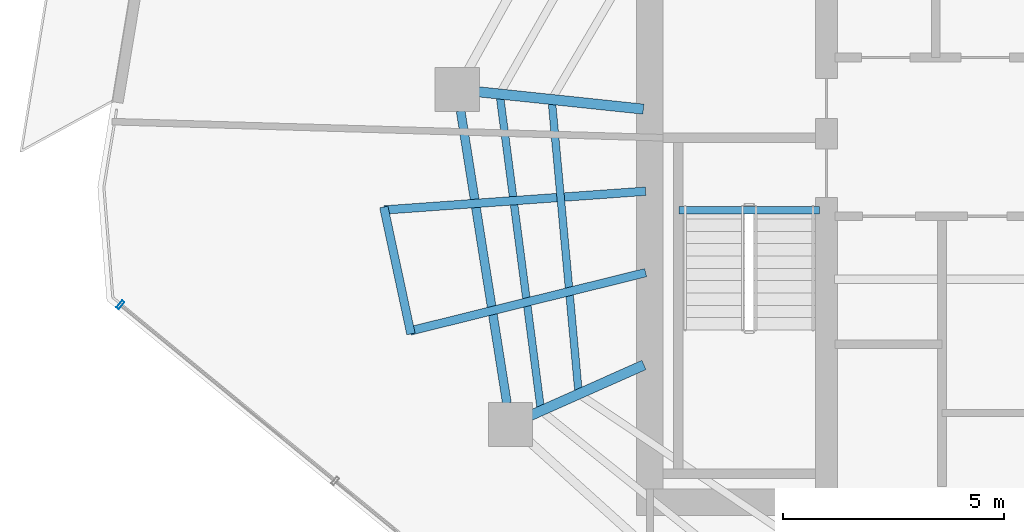
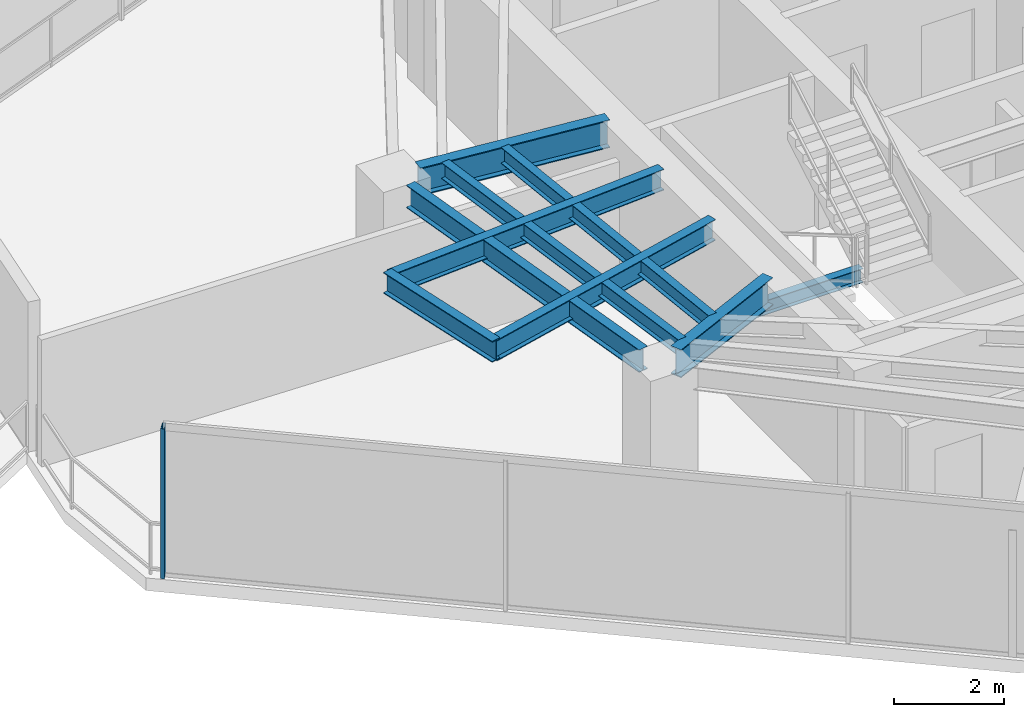
# One storey, part 5 of 19: 9 beams, 1 member, 1 element without a shape of its own.
"""IFC4 building model written with IfcOpenShell, lengths in metres."""

from ifc_helpers import new_model, si_unit, direction, frame, origin, origin_2d, place, context, subcontext, project, spatial, hollow_rectangle, i_section, extrude, material, layer, layer_set, material_profile, profile_set, type_object, element, aggregate, save


model = new_model("IFC4")

# Units and contexts
model_context = context("Model", 3, precision=1e-05, world=origin(), true_north=direction((0.0, 1.0)))
body_context = subcontext(model_context, "Body", "Model", "MODEL_VIEW")
ifc_project = project(units=[si_unit("LENGTHUNIT", "METRE"), si_unit("AREAUNIT", "SQUARE_METRE"), si_unit("VOLUMEUNIT", "CUBIC_METRE"), si_unit("PLANEANGLEUNIT", "RADIAN"), si_unit("MASSUNIT", "GRAM", prefix="KILO")], contexts=[model_context])

# Site, building, storey
site_placement = place(None, origin())
site = spatial("IfcSite", under=ifc_project, at=site_placement, CompositionType="ELEMENT")
building_placement = place(site_placement, origin())
building = spatial("IfcBuilding", under=site, at=building_placement, Name="Qarnah Convention Tower", CompositionType="ELEMENT")
storey_placement = place(building_placement, frame((0.0, 0.0, 143.699951171875)))
storey = spatial("IfcBuildingStorey", under=building, at=storey_placement, Name="L38", CompositionType="ELEMENT", Elevation=143.699951171875)

# Beams
ifc_material_1 = material(Name="Structural steel S355JR", Category="steel")
ifc_material_profile_1 = material_profile(ifc_material_1, i_section(OverallWidth=0.19189453125, OverallDepth=0.464111328125, WebThickness=0.010986328125, FlangeThickness=0.01806640625, at=origin_2d()), Name="W460X89")
ifc_profile_set_1 = profile_set([ifc_material_profile_1], Name="Structural steel S355JR")
beam_type_1 = type_object("IfcBeamType", Name="BM-CANT-W460A", PredefinedType="BEAM", material=ifc_profile_set_1)
beam_1_placement = place(storey_placement, frame((26.699951171875, 25.64794921875, 3.088134765625), z_axis=(-0.997431478283, -0.071627132639, 0.0), x_axis=(0.071627132639, -0.997431478283, 0.0)))
element("IfcBeam", 1, at=beam_1_placement, inside=storey, type_object=beam_type_1, Name="L38 beam BM-L38-CNT-02-1", PredefinedType="BEAM", context=body_context, shape_type="SweptSolid", body=[
    extrude(i_section(OverallWidth=0.19189453125, OverallDepth=0.464111328125, WebThickness=0.010986328125, FlangeThickness=0.01806640625, at=origin_2d()), origin(), (0.0, 0.0, 1.0), 5.93408203125),
])
beam_2_placement = place(storey_placement, frame((26.702880859375, 23.802001953125, 3.088134765625), z_axis=(-0.970704086067, -0.240278124872, 0.0), x_axis=(0.240278124872, -0.970704086067, 0.0)))
element("IfcBeam", 2, at=beam_2_placement, inside=storey, type_object=beam_type_1, Name="L38 beam BM-L38-CNT-02-2", PredefinedType="BEAM", context=body_context, shape_type="SweptSolid", body=[
    extrude(i_section(OverallWidth=0.19189453125, OverallDepth=0.464111328125, WebThickness=0.010986328125, FlangeThickness=0.01806640625, at=origin_2d()), origin(), (0.0, 0.0, 1.0), 5.498046875),
])
beam_3_placement = place(storey_placement, frame((20.76611328125, 25.291015625, 3.088134765625), z_axis=(0.208973836363, -0.977921231857, 0.0), x_axis=(0.977921231857, 0.208973836363, 0.0)))
element("IfcBeam", 3, at=beam_3_placement, inside=storey, type_object=beam_type_1, Name="L38 spandrel BM-L38-CTIE-02", PredefinedType="SPANDREL", context=body_context, shape_type="SweptSolid", body=[
    extrude(i_section(OverallWidth=0.19189453125, OverallDepth=0.464111328125, WebThickness=0.010986328125, FlangeThickness=0.01806640625, at=origin_2d()), origin(), (0.0, 0.0, 1.0), 2.94287109375),
])
ifc_material_profile_2 = material_profile(ifc_material_1, i_section(OverallWidth=0.166015625, OverallDepth=0.31201171875, WebThickness=0.007080078125, FlangeThickness=0.010986328125, at=origin_2d()), Name="W310X45")
ifc_profile_set_2 = profile_set([ifc_material_profile_2], Name="Structural steel S355JR")
beam_type_2 = type_object("IfcBeamType", Name="BM-JST-W310", PredefinedType="JOIST", material=ifc_profile_set_2)
beam_4_placement = place(storey_placement, frame((27.4599609375, 25.217041015625, -0.156005859375), z_axis=(1.0, 0.0, 0.0), x_axis=(0.0, 1.0, 0.0)))
element("IfcBeam", 4, at=beam_4_placement, inside=storey, type_object=beam_type_2, Name="L38 stair landing trimmer beam BM-L38-ST1-TRM", PredefinedType="BEAM", context=body_context, shape_type="SweptSolid", body=[
    extrude(i_section(OverallWidth=0.166015625, OverallDepth=0.31201171875, WebThickness=0.007080078125, FlangeThickness=0.010986328125, at=origin_2d()), origin(), (0.0, 0.0, 1.0), 3.179931640625),
])
ifc_material_profile_3 = material_profile(ifc_material_1, i_section(OverallWidth=0.172119140625, OverallDepth=0.35595703125, WebThickness=0.007080078125, FlangeThickness=0.011962890625, at=origin_2d()), Name="W360X51")
ifc_profile_set_3 = profile_set([ifc_material_profile_3], Name="Structural steel S355JR")
beam_type_3 = type_object("IfcBeamType", Name="BM-JST-W360", PredefinedType="JOIST", material=ifc_profile_set_3)
beam_5_placement = place(storey_placement, frame((23.404052734375, 27.761962890625, 3.14208984375), z_axis=(0.12956381361, -0.991571085804, 0.0), x_axis=(0.991571085804, 0.12956381361, 0.0)))
element("IfcBeam", 5, at=beam_5_placement, inside=storey, type_object=beam_type_3, Name="L38 joist BM-L38-SJST-05", PredefinedType="JOIST", context=body_context, shape_type="SweptSolid", body=[
    extrude(i_section(OverallWidth=0.172119140625, OverallDepth=0.35595703125, WebThickness=0.007080078125, FlangeThickness=0.011962890625, at=origin_2d()), origin(), (0.0, 0.0, 1.0), 7.0625),
])
beam_6_placement = place(storey_placement, frame((24.580078125, 27.636962890625, 3.14208984375), z_axis=(0.091507562391, -0.995804381405, 0.0), x_axis=(0.995804381405, 0.091507562391, 0.0)))
element("IfcBeam", 6, at=beam_6_placement, inside=storey, type_object=beam_type_3, Name="L38 joist BM-L38-IJST-05", PredefinedType="JOIST", context=body_context, shape_type="SweptSolid", body=[
    extrude(i_section(OverallWidth=0.172119140625, OverallDepth=0.35595703125, WebThickness=0.007080078125, FlangeThickness=0.011962890625, at=origin_2d()), origin(), (0.0, 0.0, 1.0), 6.523193359375),
])
ifc_material_profile_4 = material_profile(ifc_material_1, i_section(OverallWidth=0.22998046875, OverallDepth=0.617919921875, WebThickness=0.012939453125, FlangeThickness=0.02197265625, at=origin_2d()), Name="W610X140")
ifc_profile_set_4 = profile_set([ifc_material_profile_4], Name="Structural steel S355JR")
beam_type_4 = type_object("IfcBeamType", Name="BM-RAD-W610A", PredefinedType="BEAM", material=ifc_profile_set_4)
beam_7_placement = place(storey_placement, frame((26.65087890625, 27.509033203125, 3.010986328125), z_axis=(-0.994531015982, 0.104441649973, 0.0), x_axis=(-0.104441649973, -0.994531015982, 0.0)))
element("IfcBeam", 7, at=beam_7_placement, inside=storey, type_object=beam_type_4, Name="L38 beam BM-L38-RAD-05", PredefinedType="BEAM", context=body_context, shape_type="SweptSolid", body=[
    extrude(i_section(OverallWidth=0.22998046875, OverallDepth=0.617919921875, WebThickness=0.012939453125, FlangeThickness=0.02197265625, at=origin_2d()), origin(), (0.0, 0.0, 1.0), 3.763427734375),
])
beam_8_placement = place(storey_placement, frame((26.6630859375, 21.708984375, 3.010986328125), z_axis=(-0.913488265638, -0.406865074123, 0.0), x_axis=(0.406865074123, -0.913488265638, 0.0)))
element("IfcBeam", 8, at=beam_8_placement, inside=storey, type_object=beam_type_4, Name="L38 beam BM-L38-RAD-06", PredefinedType="BEAM", context=body_context, shape_type="SweptSolid", body=[
    extrude(i_section(OverallWidth=0.22998046875, OverallDepth=0.617919921875, WebThickness=0.012939453125, FlangeThickness=0.02197265625, at=origin_2d()), origin(), (0.0, 0.0, 1.0), 2.83642578125),
])
ifc_material_profile_5 = material_profile(ifc_material_1, i_section(OverallWidth=0.199951171875, OverallDepth=0.5, WebThickness=0.010009765625, FlangeThickness=0.01611328125, at=origin_2d()), Name="IPE500")
ifc_profile_set_5 = profile_set([ifc_material_profile_5], Name="Structural steel S355JR")
beam_type_5 = type_object("IfcBeamType", Name="BM-SPN-IPE500", PredefinedType="SPANDREL", material=ifc_profile_set_5)
beam_9_placement = place(storey_placement, frame((22.508056640625, 27.468017578125, 3.070068359375), z_axis=(0.156388773261, -0.987695576379, 0.0), x_axis=(0.987695576379, 0.156388773261, 0.0)))
element("IfcBeam", 9, at=beam_9_placement, inside=storey, type_object=beam_type_5, Name="L38 spandrel BM-L38-SPN-05", PredefinedType="SPANDREL", context=body_context, shape_type="SweptSolid", body=[
    extrude(i_section(OverallWidth=0.199951171875, OverallDepth=0.5, WebThickness=0.010009765625, FlangeThickness=0.01611328125, at=origin_2d()), origin(), (0.0, 0.0, 1.0), 6.70654296875),
])

# Curtain wall, member
ifc_material_2 = material(Name="Tempered Low-E dark glass", Category="glass")
ifc_layer = layer(ifc_material_2, 0.172119140625)
ifc_layer_set = layer_set([ifc_layer], Name="Tempered Low-E dark glass")
curtain_wall_type = type_object("IfcCurtainWallType", Name="CWS-03", PredefinedType="NOTDEFINED", material=ifc_layer_set)
curtain_wall_placement = place(storey_placement, origin())
curtain_wall = element("IfcCurtainWall", 10, at=curtain_wall_placement, inside=storey, type_object=curtain_wall_type, Name="L38 unitised curtain wall CW-L38-F2", PredefinedType="NOTDEFINED")
ifc_material_3 = material(Name="Black anodised aluminium", Category="aluminium")
ifc_material_profile_6 = material_profile(ifc_material_3, hollow_rectangle(XDim=0.070068359375, YDim=0.199951171875, WallThickness=0.0048828125, at=origin_2d()), Name="MUL-70X200")
ifc_profile_set_6 = profile_set([ifc_material_profile_6], Name="Black anodised aluminium")
member_type = type_object("IfcMemberType", Name="MUL-T3", PredefinedType="MULLION", material=ifc_profile_set_6)
member_placement = place(storey_placement, frame((14.7958984375, 23.071044921875, 0.0), z_axis=(0.0, 0.0, 1.0), x_axis=(-0.773174020176, 0.634193925014, 0.0)))
member = element("IfcMember", 11, at=member_placement, type_object=member_type, Name="CW-L38-F2 mullion 6", PredefinedType="MULLION", context=body_context, shape_type="SweptSolid", body=[
    extrude(hollow_rectangle(XDim=0.070068359375, YDim=0.199951171875, WallThickness=0.0048828125, at=origin_2d()), origin(), (0.0, 0.0, 1.0), 3.320068359375),
])
aggregate(curtain_wall, [member])

save(model, "model.ifc")
